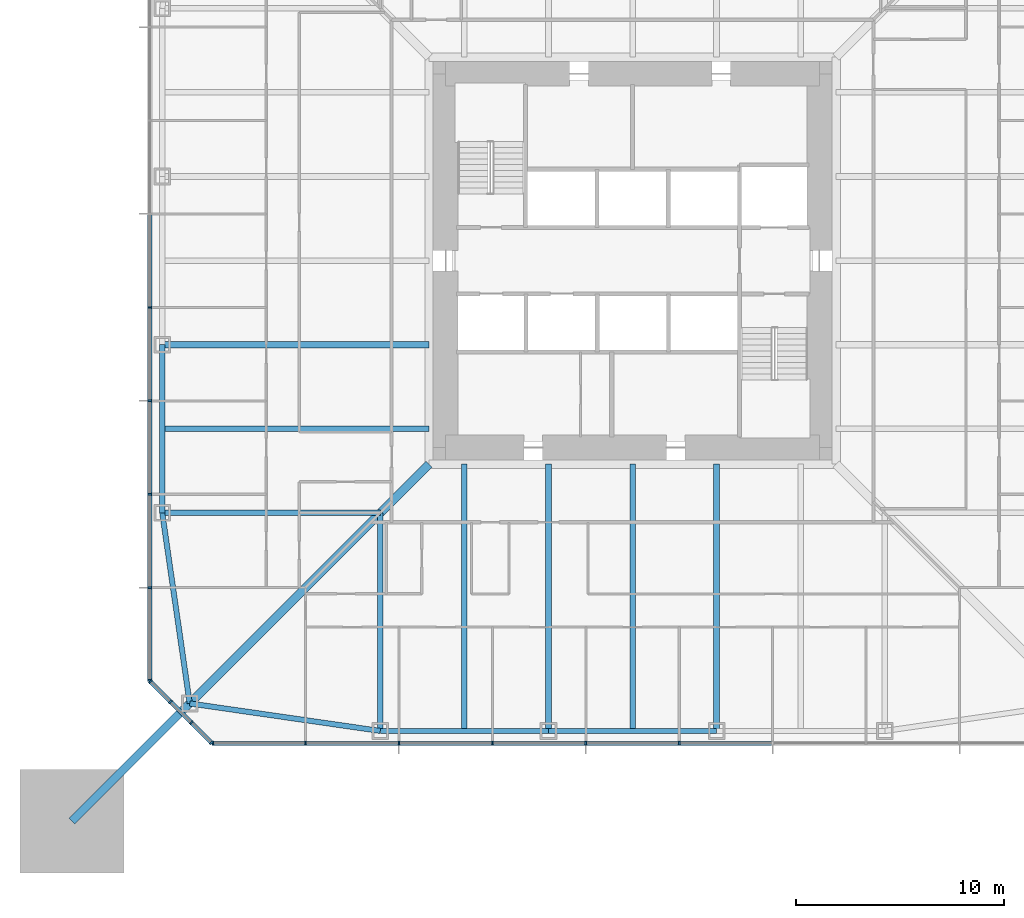
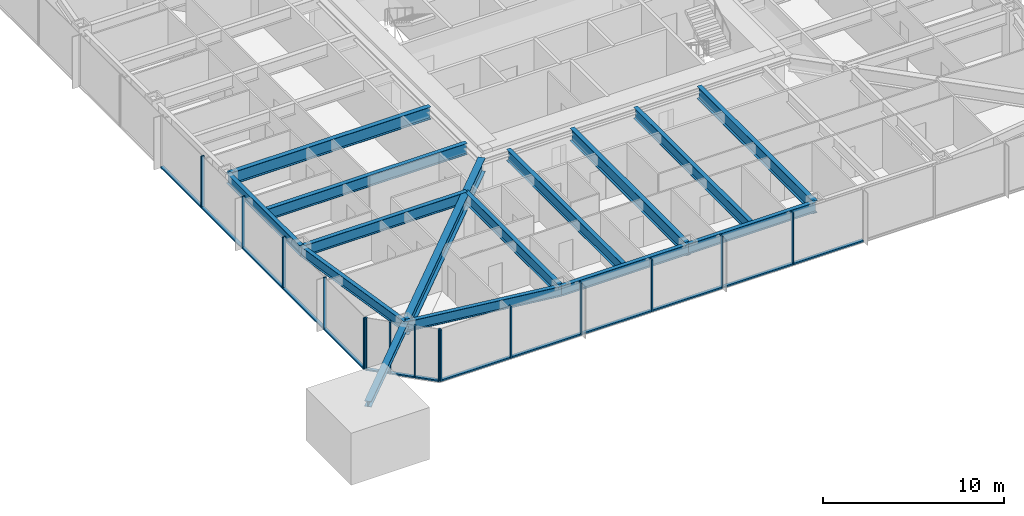
# One storey, part 3 of 26: 30 members, 14 beams, 3 elements without a shape of their own.
"""IFC4 building model written with IfcOpenShell, lengths in metres."""

from ifc_helpers import new_model, si_unit, direction, frame, origin, origin_2d, place, context, subcontext, project, spatial, rectangle, i_section, extrude, material, material_profile, profile_set, type_object, element, aggregate, save


model = new_model("IFC4")

# Units and contexts
model_context = context("Model", 3, precision=1e-05, world=origin(), true_north=direction((0.0, 1.0)))
body_context = subcontext(model_context, "Body", "Model", "MODEL_VIEW")
ifc_project = project(units=[si_unit("LENGTHUNIT", "METRE"), si_unit("AREAUNIT", "SQUARE_METRE"), si_unit("VOLUMEUNIT", "CUBIC_METRE"), si_unit("PLANEANGLEUNIT", "RADIAN"), si_unit("MASSUNIT", "GRAM", prefix="KILO")], contexts=[model_context])

# Site, building, storey
site_placement = place(None, origin())
site = spatial("IfcSite", under=ifc_project, at=site_placement, CompositionType="ELEMENT")
building_placement = place(site_placement, origin())
building = spatial("IfcBuilding", under=site, at=building_placement, Name="Iwan Alto Co-Living Towers", CompositionType="ELEMENT")
storey_placement = place(building_placement, frame((0.0, 0.0, 18.5)))
storey = spatial("IfcBuildingStorey", under=building, at=storey_placement, Name="L04", CompositionType="ELEMENT", Elevation=18.5)

# Curtain wall, members
ifc_material_1 = material(Name="Bronze aluminium unitised frame", Category="aluminium")
curtain_wall_type_1 = type_object("IfcCurtainWallType", Name="CURTAIN WALL CW-A", PredefinedType="NOTDEFINED", material=ifc_material_1)
curtain_wall_1_placement = place(storey_placement, origin())
curtain_wall_1 = element("IfcCurtainWall", 1, at=curtain_wall_1_placement, inside=storey, type_object=curtain_wall_type_1, Name="T1 curtain wall S L04", PredefinedType="NOTDEFINED")
ifc_material_2 = material(Name="Aluminium 6063-T6 bronze anodised", Category="aluminium")
ifc_material_profile_1 = material_profile(ifc_material_2, rectangle(XDim=0.199951171875, YDim=0.080078125, at=origin_2d()), Name="AL 80X200")
ifc_profile_set_1 = profile_set([ifc_material_profile_1], Name="Aluminium 6063-T6 bronze anodised")
member_type_1 = type_object("IfcMemberType", Name="CW-A MULLION 80X200", PredefinedType="MULLION", material=ifc_profile_set_1)
member_1_placement = place(storey_placement, frame((-20.2099609375, -23.25, 0.0), z_axis=(0.0, 0.0, 1.0), x_axis=(0.0, 1.0, 0.0)))
member_1 = element("IfcMember", 2, at=member_1_placement, type_object=member_type_1, Name="CW-A mullion 1", PredefinedType="MULLION", context=body_context, shape_type="SweptSolid", body=[
    extrude(rectangle(XDim=0.199951171875, YDim=0.080078125, at=origin_2d()), origin(), (0.0, 0.0, 1.0), 3.5),
])
member_2_placement = place(storey_placement, frame((-15.75, -23.25, 0.0), z_axis=(0.0, 0.0, 1.0), x_axis=(0.0, 1.0, 0.0)))
member_2 = element("IfcMember", 3, at=member_2_placement, type_object=member_type_1, Name="CW-A mullion 2", PredefinedType="MULLION", context=body_context, shape_type="SweptSolid", body=[
    extrude(rectangle(XDim=0.199951171875, YDim=0.080078125, at=origin_2d()), origin(), (0.0, 0.0, 1.0), 3.5),
])
member_3_placement = place(storey_placement, frame((-11.25, -23.25, 0.0), z_axis=(0.0, 0.0, 1.0), x_axis=(0.0, 1.0, 0.0)))
member_3 = element("IfcMember", 4, at=member_3_placement, type_object=member_type_1, Name="CW-A mullion 3", PredefinedType="MULLION", context=body_context, shape_type="SweptSolid", body=[
    extrude(rectangle(XDim=0.199951171875, YDim=0.080078125, at=origin_2d()), origin(), (0.0, 0.0, 1.0), 3.5),
])
member_4_placement = place(storey_placement, frame((-6.75, -23.25, 0.0), z_axis=(0.0, 0.0, 1.0), x_axis=(0.0, 1.0, 0.0)))
member_4 = element("IfcMember", 5, at=member_4_placement, type_object=member_type_1, Name="CW-A mullion 4", PredefinedType="MULLION", context=body_context, shape_type="SweptSolid", body=[
    extrude(rectangle(XDim=0.199951171875, YDim=0.080078125, at=origin_2d()), origin(), (0.0, 0.0, 1.0), 3.5),
])
member_5_placement = place(storey_placement, frame((-2.25, -23.25, 0.0), z_axis=(0.0, 0.0, 1.0), x_axis=(0.0, 1.0, 0.0)))
member_5 = element("IfcMember", 6, at=member_5_placement, type_object=member_type_1, Name="CW-A mullion 5", PredefinedType="MULLION", context=body_context, shape_type="SweptSolid", body=[
    extrude(rectangle(XDim=0.199951171875, YDim=0.080078125, at=origin_2d()), origin(), (0.0, 0.0, 1.0), 3.5),
])
member_6_placement = place(storey_placement, frame((2.25, -23.25, 0.0), z_axis=(0.0, 0.0, 1.0), x_axis=(0.0, 1.0, 0.0)))
member_6 = element("IfcMember", 7, at=member_6_placement, type_object=member_type_1, Name="CW-A mullion 6", PredefinedType="MULLION", context=body_context, shape_type="SweptSolid", body=[
    extrude(rectangle(XDim=0.199951171875, YDim=0.080078125, at=origin_2d()), origin(), (0.0, 0.0, 1.0), 3.5),
])

curtain_wall_2_placement = place(storey_placement, origin())
curtain_wall_2 = element("IfcCurtainWall", 8, at=curtain_wall_2_placement, inside=storey, type_object=curtain_wall_type_1, Name="T1 curtain wall W L04", PredefinedType="NOTDEFINED")
member_7_placement = place(storey_placement, frame((-23.25, -2.25, 0.0), z_axis=(0.0, 0.0, 1.0), x_axis=(1.0, 0.0, 0.0)))
member_7 = element("IfcMember", 9, at=member_7_placement, type_object=member_type_1, Name="CW-A mullion 6", PredefinedType="MULLION", context=body_context, shape_type="SweptSolid", body=[
    extrude(rectangle(XDim=0.199951171875, YDim=0.080078125, at=origin_2d()), origin(), (0.0, 0.0, 1.0), 3.5),
])
member_8_placement = place(storey_placement, frame((-23.25, -6.75, 0.0), z_axis=(0.0, 0.0, 1.0), x_axis=(1.0, 0.0, 0.0)))
member_8 = element("IfcMember", 10, at=member_8_placement, type_object=member_type_1, Name="CW-A mullion 7", PredefinedType="MULLION", context=body_context, shape_type="SweptSolid", body=[
    extrude(rectangle(XDim=0.199951171875, YDim=0.080078125, at=origin_2d()), origin(), (0.0, 0.0, 1.0), 3.5),
])
member_9_placement = place(storey_placement, frame((-23.25, -11.25, 0.0), z_axis=(0.0, 0.0, 1.0), x_axis=(1.0, 0.0, 0.0)))
member_9 = element("IfcMember", 11, at=member_9_placement, type_object=member_type_1, Name="CW-A mullion 8", PredefinedType="MULLION", context=body_context, shape_type="SweptSolid", body=[
    extrude(rectangle(XDim=0.199951171875, YDim=0.080078125, at=origin_2d()), origin(), (0.0, 0.0, 1.0), 3.5),
])
member_10_placement = place(storey_placement, frame((-23.25, -15.75, 0.0), z_axis=(0.0, 0.0, 1.0), x_axis=(1.0, 0.0, 0.0)))
member_10 = element("IfcMember", 12, at=member_10_placement, type_object=member_type_1, Name="CW-A mullion 9", PredefinedType="MULLION", context=body_context, shape_type="SweptSolid", body=[
    extrude(rectangle(XDim=0.199951171875, YDim=0.080078125, at=origin_2d()), origin(), (0.0, 0.0, 1.0), 3.5),
])
member_11_placement = place(storey_placement, frame((-23.25, -20.2099609375, 0.0), z_axis=(0.0, 0.0, 1.0), x_axis=(1.0, 0.0, 0.0)))
member_11 = element("IfcMember", 13, at=member_11_placement, type_object=member_type_1, Name="CW-A mullion 10", PredefinedType="MULLION", context=body_context, shape_type="SweptSolid", body=[
    extrude(rectangle(XDim=0.199951171875, YDim=0.080078125, at=origin_2d()), origin(), (0.0, 0.0, 1.0), 3.5),
])

# Member
ifc_material_3 = material(Name="Aluminium 6063-T6 bronze anodised", Category="aluminium")
ifc_material_profile_2 = material_profile(ifc_material_3, rectangle(XDim=0.199951171875, YDim=0.10009765625, at=origin_2d()), Name="AL 200X100")
ifc_profile_set_2 = profile_set([ifc_material_profile_2], Name="Aluminium 6063-T6 bronze anodised")
member_type_2 = type_object("IfcMemberType", Name="CW-A TRANSOM 200X100", PredefinedType="USERDEFINED", material=ifc_profile_set_2)
member_12_placement = place(storey_placement, frame((-20.169921875, -23.25, 0.050048828125), z_axis=(1.0, 0.0, 0.0), x_axis=(0.0, 1.0, 0.0)))
member_12 = element("IfcMember", 14, at=member_12_placement, type_object=member_type_2, Name="CW-A transom 1.1", ObjectType="TRANSOM", PredefinedType="USERDEFINED", context=body_context, shape_type="SweptSolid", body=[
    extrude(rectangle(XDim=0.199951171875, YDim=0.10009765625, at=origin_2d()), origin(), (0.0, 0.0, 1.0), 4.3798828125),
])

member_13_placement = place(storey_placement, frame((-15.7099609375, -23.25, 0.050048828125), z_axis=(1.0, 0.0, 0.0), x_axis=(0.0, 1.0, 0.0)))
member_13 = element("IfcMember", 15, at=member_13_placement, type_object=member_type_2, Name="CW-A transom 2.1", ObjectType="TRANSOM", PredefinedType="USERDEFINED", context=body_context, shape_type="SweptSolid", body=[
    extrude(rectangle(XDim=0.199951171875, YDim=0.10009765625, at=origin_2d()), origin(), (0.0, 0.0, 1.0), 4.419921875),
])

member_14_placement = place(storey_placement, frame((-11.2099609375, -23.25, 0.050048828125), z_axis=(1.0, 0.0, 0.0), x_axis=(0.0, 1.0, 0.0)))
member_14 = element("IfcMember", 16, at=member_14_placement, type_object=member_type_2, Name="CW-A transom 3.1", ObjectType="TRANSOM", PredefinedType="USERDEFINED", context=body_context, shape_type="SweptSolid", body=[
    extrude(rectangle(XDim=0.199951171875, YDim=0.10009765625, at=origin_2d()), origin(), (0.0, 0.0, 1.0), 4.419921875),
])

member_15_placement = place(storey_placement, frame((-6.7099609375, -23.25, 0.050048828125), z_axis=(1.0, 0.0, 0.0), x_axis=(0.0, 1.0, 0.0)))
member_15 = element("IfcMember", 17, at=member_15_placement, type_object=member_type_2, Name="CW-A transom 4.1", ObjectType="TRANSOM", PredefinedType="USERDEFINED", context=body_context, shape_type="SweptSolid", body=[
    extrude(rectangle(XDim=0.199951171875, YDim=0.10009765625, at=origin_2d()), origin(), (0.0, 0.0, 1.0), 4.419921875),
])

member_16_placement = place(storey_placement, frame((-2.2099609375, -23.25, 0.050048828125), z_axis=(1.0, 0.0, 0.0), x_axis=(0.0, 1.0, 0.0)))
member_16 = element("IfcMember", 18, at=member_16_placement, type_object=member_type_2, Name="CW-A transom 5.1", ObjectType="TRANSOM", PredefinedType="USERDEFINED", context=body_context, shape_type="SweptSolid", body=[
    extrude(rectangle(XDim=0.199951171875, YDim=0.10009765625, at=origin_2d()), origin(), (0.0, 0.0, 1.0), 4.419921875),
])

member_17_placement = place(storey_placement, frame((2.2900390625, -23.25, 0.050048828125), z_axis=(1.0, 0.0, 0.0), x_axis=(0.0, 1.0, 0.0)))
member_17 = element("IfcMember", 19, at=member_17_placement, type_object=member_type_2, Name="CW-A transom 6.1", ObjectType="TRANSOM", PredefinedType="USERDEFINED", context=body_context, shape_type="SweptSolid", body=[
    extrude(rectangle(XDim=0.199951171875, YDim=0.10009765625, at=origin_2d()), origin(), (0.0, 0.0, 1.0), 4.419921875),
])

aggregate(curtain_wall_1, [member_1, member_2, member_3, member_4, member_5, member_6, member_12, member_13, member_14, member_15, member_16, member_17])

member_18_placement = place(storey_placement, frame((-23.25, 2.2099609375, 0.050048828125), z_axis=(0.0, -1.0, 0.0), x_axis=(1.0, 0.0, 0.0)))
member_18 = element("IfcMember", 20, at=member_18_placement, type_object=member_type_2, Name="CW-A transom 5.1", ObjectType="TRANSOM", PredefinedType="USERDEFINED", context=body_context, shape_type="SweptSolid", body=[
    extrude(rectangle(XDim=0.199951171875, YDim=0.10009765625, at=origin_2d()), origin(), (0.0, 0.0, 1.0), 4.419921875),
])

member_19_placement = place(storey_placement, frame((-23.25, -2.2900390625, 0.050048828125), z_axis=(0.0, -1.0, 0.0), x_axis=(1.0, 0.0, 0.0)))
member_19 = element("IfcMember", 21, at=member_19_placement, type_object=member_type_2, Name="CW-A transom 6.1", ObjectType="TRANSOM", PredefinedType="USERDEFINED", context=body_context, shape_type="SweptSolid", body=[
    extrude(rectangle(XDim=0.199951171875, YDim=0.10009765625, at=origin_2d()), origin(), (0.0, 0.0, 1.0), 4.419921875),
])

member_20_placement = place(storey_placement, frame((-23.25, -6.7900390625, 0.050048828125), z_axis=(0.0, -1.0, 0.0), x_axis=(1.0, 0.0, 0.0)))
member_20 = element("IfcMember", 22, at=member_20_placement, type_object=member_type_2, Name="CW-A transom 7.1", ObjectType="TRANSOM", PredefinedType="USERDEFINED", context=body_context, shape_type="SweptSolid", body=[
    extrude(rectangle(XDim=0.199951171875, YDim=0.10009765625, at=origin_2d()), origin(), (0.0, 0.0, 1.0), 4.419921875),
])

member_21_placement = place(storey_placement, frame((-23.25, -11.2900390625, 0.050048828125), z_axis=(0.0, -1.0, 0.0), x_axis=(1.0, 0.0, 0.0)))
member_21 = element("IfcMember", 23, at=member_21_placement, type_object=member_type_2, Name="CW-A transom 8.1", ObjectType="TRANSOM", PredefinedType="USERDEFINED", context=body_context, shape_type="SweptSolid", body=[
    extrude(rectangle(XDim=0.199951171875, YDim=0.10009765625, at=origin_2d()), origin(), (0.0, 0.0, 1.0), 4.419921875),
])

member_22_placement = place(storey_placement, frame((-23.25, -15.7900390625, 0.050048828125), z_axis=(0.0, -1.0, 0.0), x_axis=(1.0, 0.0, 0.0)))
member_22 = element("IfcMember", 24, at=member_22_placement, type_object=member_type_2, Name="CW-A transom 9.1", ObjectType="TRANSOM", PredefinedType="USERDEFINED", context=body_context, shape_type="SweptSolid", body=[
    extrude(rectangle(XDim=0.199951171875, YDim=0.10009765625, at=origin_2d()), origin(), (0.0, 0.0, 1.0), 4.3798828125),
])

aggregate(curtain_wall_2, [member_7, member_8, member_9, member_10, member_11, member_18, member_19, member_20, member_21, member_22])

# Curtain wall, members
ifc_material_4 = material(Name="Bronze aluminium unitised frame", Category="aluminium")
curtain_wall_type_2 = type_object("IfcCurtainWallType", Name="CURTAIN WALL CW-B", PredefinedType="NOTDEFINED", material=ifc_material_4)
curtain_wall_3_placement = place(storey_placement, origin())
curtain_wall_3 = element("IfcCurtainWall", 25, at=curtain_wall_3_placement, inside=storey, type_object=curtain_wall_type_2, Name="T1 chamfer curtain wall SW L04", PredefinedType="NOTDEFINED")
ifc_material_5 = material(Name="Aluminium 6063-T6 bronze anodised", Category="aluminium")
ifc_material_profile_3 = material_profile(ifc_material_5, rectangle(XDim=0.199951171875, YDim=0.080078125, at=origin_2d()), Name="AL 80X200")
ifc_profile_set_3 = profile_set([ifc_material_profile_3], Name="Aluminium 6063-T6 bronze anodised")
member_type_3 = type_object("IfcMemberType", Name="CW-B MULLION 80X200", PredefinedType="MULLION", material=ifc_profile_set_3)
member_23_placement = place(storey_placement, frame((-23.2216796875, -20.2783203125, 0.0), z_axis=(0.0, 0.0, 1.0), x_axis=(0.707106781187, 0.707106781187, 0.0)))
member_23 = element("IfcMember", 26, at=member_23_placement, type_object=member_type_3, Name="CW-B mullion 1", PredefinedType="MULLION", context=body_context, shape_type="SweptSolid", body=[
    extrude(rectangle(XDim=0.199951171875, YDim=0.080078125, at=origin_2d()), origin(), (0.0, 0.0, 1.0), 3.5),
])
member_24_placement = place(storey_placement, frame((-22.25, -21.25, 0.0), z_axis=(0.0, 0.0, 1.0), x_axis=(0.707106781187, 0.707106781187, 0.0)))
member_24 = element("IfcMember", 27, at=member_24_placement, type_object=member_type_3, Name="CW-B mullion 2", PredefinedType="MULLION", context=body_context, shape_type="SweptSolid", body=[
    extrude(rectangle(XDim=0.199951171875, YDim=0.080078125, at=origin_2d()), origin(), (0.0, 0.0, 1.0), 3.5),
])
member_25_placement = place(storey_placement, frame((-21.25, -22.25, 0.0), z_axis=(0.0, 0.0, 1.0), x_axis=(0.707106781187, 0.707106781187, 0.0)))
member_25 = element("IfcMember", 28, at=member_25_placement, type_object=member_type_3, Name="CW-B mullion 3", PredefinedType="MULLION", context=body_context, shape_type="SweptSolid", body=[
    extrude(rectangle(XDim=0.199951171875, YDim=0.080078125, at=origin_2d()), origin(), (0.0, 0.0, 1.0), 3.5),
])
member_26_placement = place(storey_placement, frame((-20.2783203125, -23.2216796875, 0.0), z_axis=(0.0, 0.0, 1.0), x_axis=(0.707106781187, 0.707106781187, 0.0)))
member_26 = element("IfcMember", 29, at=member_26_placement, type_object=member_type_3, Name="CW-B mullion 4", PredefinedType="MULLION", context=body_context, shape_type="SweptSolid", body=[
    extrude(rectangle(XDim=0.199951171875, YDim=0.080078125, at=origin_2d()), origin(), (0.0, 0.0, 1.0), 3.5),
])
ifc_material_6 = material(Name="Aluminium 6063-T6 bronze anodised", Category="aluminium")
ifc_material_profile_4 = material_profile(ifc_material_6, rectangle(XDim=0.199951171875, YDim=0.10009765625, at=origin_2d()), Name="AL 200X100")
ifc_profile_set_4 = profile_set([ifc_material_profile_4], Name="Aluminium 6063-T6 bronze anodised")
member_type_4 = type_object("IfcMemberType", Name="CW-B TRANSOM 200X100", PredefinedType="USERDEFINED", material=ifc_profile_set_4)
member_27_placement = place(storey_placement, frame((-23.193359375, -20.306640625, 0.050048828125), z_axis=(0.707106781187, -0.707106781187, 0.0), x_axis=(0.707106781187, 0.707106781187, 0.0)))
member_27 = element("IfcMember", 30, at=member_27_placement, type_object=member_type_4, Name="CW-B transom 1.1", ObjectType="TRANSOM", PredefinedType="USERDEFINED", context=body_context, shape_type="SweptSolid", body=[
    extrude(rectangle(XDim=0.199951171875, YDim=0.10009765625, at=origin_2d()), origin(), (0.0, 0.0, 1.0), 1.2939453125),
])
member_28_placement = place(storey_placement, frame((-22.2216796875, -21.2783203125, 0.050048828125), z_axis=(0.707106781187, -0.707106781187, 0.0), x_axis=(0.707106781187, 0.707106781187, 0.0)))
member_28 = element("IfcMember", 31, at=member_28_placement, type_object=member_type_4, Name="CW-B transom 2.1", ObjectType="TRANSOM", PredefinedType="USERDEFINED", context=body_context, shape_type="SweptSolid", body=[
    extrude(rectangle(XDim=0.199951171875, YDim=0.10009765625, at=origin_2d()), origin(), (0.0, 0.0, 1.0), 1.334228515625),
])
member_29_placement = place(storey_placement, frame((-21.2216796875, -22.2783203125, 0.050048828125), z_axis=(0.707106781187, -0.707106781187, 0.0), x_axis=(0.707106781187, 0.707106781187, 0.0)))
member_29 = element("IfcMember", 32, at=member_29_placement, type_object=member_type_4, Name="CW-B transom 3.1", ObjectType="TRANSOM", PredefinedType="USERDEFINED", context=body_context, shape_type="SweptSolid", body=[
    extrude(rectangle(XDim=0.199951171875, YDim=0.10009765625, at=origin_2d()), origin(), (0.0, 0.0, 1.0), 1.2939453125),
])
aggregate(curtain_wall_3, [member_23, member_24, member_25, member_26, member_27, member_28, member_29])

# Beams
ifc_material_7 = material(Name="Steel ASTM A992 Gr 50", Category="steel")
ifc_material_profile_5 = material_profile(ifc_material_7, i_section(OverallWidth=0.419189453125, OverallDepth=0.927001953125, WebThickness=0.019287109375, FlangeThickness=0.031982421875, at=origin_2d()), Name="W36X231")
ifc_profile_set_5 = profile_set([ifc_material_profile_5], Name="Steel ASTM A992 Gr 50")
beam_type_1 = type_object("IfcBeamType", Name="T1 CORNER GIRDER W36X231", PredefinedType="BEAM", material=ifc_profile_set_5)
beam_1_placement = place(storey_placement, frame((-21.32568359375, -21.32568359375, 2.806396484375), z_axis=(0.707106781187, 0.707106781187, 0.0), x_axis=(-0.707106781187, 0.707106781187, 0.0)))
element("IfcBeam", 33, at=beam_1_placement, inside=storey, type_object=beam_type_1, Name="T1 corner girder CSW L05", PredefinedType="BEAM", context=body_context, shape_type="SweptSolid", body=[
    extrude(i_section(OverallWidth=0.419189453125, OverallDepth=0.927001953125, WebThickness=0.019287109375, FlangeThickness=0.031982421875, at=origin_2d()), origin(), (0.0, 0.0, 1.0), 16.296875),
])
ifc_material_8 = material(Name="Steel ASTM A992 Gr 50", Category="steel")
ifc_material_profile_6 = material_profile(ifc_material_8, i_section(OverallWidth=0.25390625, OverallDepth=0.683349609375, WebThickness=0.012451171875, FlangeThickness=0.018798828125, at=origin_2d()), Name="W27X94")
ifc_profile_set_6 = profile_set([ifc_material_profile_6], Name="Steel ASTM A992 Gr 50")
beam_type_2 = type_object("IfcBeamType", Name="T1 EDGE BEAM W27X94", PredefinedType="BEAM", material=ifc_profile_set_6)
beam_2_placement = place(storey_placement, frame((-21.32568359375, -21.32568359375, 2.928466796875), z_axis=(0.989746234347, -0.142836940589, 0.0), x_axis=(0.142836940589, 0.989746234347, 0.0)))
element("IfcBeam", 34, at=beam_2_placement, inside=storey, type_object=beam_type_2, Name="T1 edge beam CSW L05", PredefinedType="BEAM", context=body_context, shape_type="SweptSolid", body=[
    extrude(i_section(OverallWidth=0.25390625, OverallDepth=0.683349609375, WebThickness=0.012451171875, FlangeThickness=0.018798828125, at=origin_2d()), origin(), (0.0, 0.0, 1.0), 9.270751953125),
])
beam_3_placement = place(storey_placement, frame((-12.14990234375, -22.64990234375, 2.928466796875), z_axis=(1.0, 0.0, 0.0), x_axis=(0.0, 1.0, 0.0)))
element("IfcBeam", 35, at=beam_3_placement, inside=storey, type_object=beam_type_2, Name="T1 edge beam S1 L05", PredefinedType="BEAM", context=body_context, shape_type="SweptSolid", body=[
    extrude(i_section(OverallWidth=0.25390625, OverallDepth=0.683349609375, WebThickness=0.012451171875, FlangeThickness=0.018798828125, at=origin_2d()), origin(), (0.0, 0.0, 1.0), 8.099853515625),
])
beam_4_placement = place(storey_placement, frame((-4.050048828125, -22.64990234375, 2.928466796875), z_axis=(1.0, 0.0, 0.0), x_axis=(0.0, 1.0, 0.0)))
element("IfcBeam", 36, at=beam_4_placement, inside=storey, type_object=beam_type_2, Name="T1 edge beam S2 L05", PredefinedType="BEAM", context=body_context, shape_type="SweptSolid", body=[
    extrude(i_section(OverallWidth=0.25390625, OverallDepth=0.683349609375, WebThickness=0.012451171875, FlangeThickness=0.018798828125, at=origin_2d()), origin(), (0.0, 0.0, 1.0), 8.10009765625),
])
beam_5_placement = place(storey_placement, frame((-22.64990234375, -4.050048828125, 2.928466796875), z_axis=(0.0, -1.0, 0.0), x_axis=(1.0, 0.0, 0.0)))
element("IfcBeam", 37, at=beam_5_placement, inside=storey, type_object=beam_type_2, Name="T1 edge beam W3 L05", PredefinedType="BEAM", context=body_context, shape_type="SweptSolid", body=[
    extrude(i_section(OverallWidth=0.25390625, OverallDepth=0.683349609375, WebThickness=0.012451171875, FlangeThickness=0.018798828125, at=origin_2d()), origin(), (0.0, 0.0, 1.0), 8.099853515625),
])
beam_6_placement = place(storey_placement, frame((-22.64990234375, -12.14990234375, 2.928466796875), z_axis=(0.142836940589, -0.989746234347, 0.0), x_axis=(0.989746234347, 0.142836940589, 0.0)))
element("IfcBeam", 38, at=beam_6_placement, inside=storey, type_object=beam_type_2, Name="T1 edge beam W4 L05", PredefinedType="BEAM", context=body_context, shape_type="SweptSolid", body=[
    extrude(i_section(OverallWidth=0.25390625, OverallDepth=0.683349609375, WebThickness=0.012451171875, FlangeThickness=0.018798828125, at=origin_2d()), origin(), (0.0, 0.0, 1.0), 9.270751953125),
])

# Member
ifc_material_9 = material(Name="Steel ASTM A992 Gr 50", Category="steel")
ifc_material_profile_7 = material_profile(ifc_material_9, i_section(OverallWidth=0.393798828125, OverallDepth=0.3759765625, WebThickness=0.017333984375, FlangeThickness=0.027587890625, at=origin_2d()), Name="W14X145")
ifc_profile_set_7 = profile_set([ifc_material_profile_7], Name="Steel ASTM A992 Gr 50")
member_type_5 = type_object("IfcMemberType", Name="T1 MEGA COLUMN FLOOR TIE W14X145", PredefinedType="STRUT", material=ifc_profile_set_7)
member_30_placement = place(storey_placement, frame((-27.0, -27.0, 3.08203125), z_axis=(0.707106781187, 0.707106781187, 0.0), x_axis=(-0.707106781187, 0.707106781187, 0.0)))
element("IfcMember", 39, at=member_30_placement, inside=storey, type_object=member_type_5, Name="T1 mega column floor tie SW L05", PredefinedType="STRUT", context=body_context, shape_type="SweptSolid", body=[
    extrude(i_section(OverallWidth=0.393798828125, OverallDepth=0.3759765625, WebThickness=0.017333984375, FlangeThickness=0.027587890625, at=origin_2d()), origin(), (0.0, 0.0, 1.0), 8.024658203125),
])

# Beams
ifc_material_10 = material(Name="Steel ASTM A992 Gr 50", Category="steel")
ifc_material_profile_8 = material_profile(ifc_material_10, i_section(OverallWidth=0.2666015625, OverallDepth=0.761962890625, WebThickness=0.014404296875, FlangeThickness=0.021484375, at=origin_2d()), Name="W30X116")
ifc_profile_set_8 = profile_set([ifc_material_profile_8], Name="Steel ASTM A992 Gr 50")
beam_type_3 = type_object("IfcBeamType", Name="T1 RADIAL BEAM W30X116", PredefinedType="BEAM", material=ifc_profile_set_8)
for number, where, z_axis, x_axis, name in (
    (40, (-12.14990234375, -22.64990234375, 2.888916015625), (0.0, 1.0, 0.0), (-1.0, 0.0, 0.0), "T1 radial beam S1 L05"),
    (41, (-22.64990234375, -12.14990234375, 2.888916015625), (1.0, 0.0, 0.0), (0.0, 1.0, 0.0), "T1 radial beam W4 L05"),
):
    element("IfcBeam", number, at=place(storey_placement, frame(where, z_axis=z_axis, x_axis=x_axis)), inside=storey, type_object=beam_type_3, Name=name, PredefinedType="BEAM", context=body_context, shape_type="SweptSolid", body=[
        extrude(i_section(OverallWidth=0.2666015625, OverallDepth=0.761962890625, WebThickness=0.014404296875, FlangeThickness=0.021484375, at=origin_2d()), origin(), (0.0, 0.0, 1.0), 10.5),
    ])
ifc_material_11 = material(Name="Steel ASTM A992 Gr 50", Category="steel")
ifc_material_profile_9 = material_profile(ifc_material_11, i_section(OverallWidth=0.2919921875, OverallDepth=0.8408203125, WebThickness=0.0146484375, FlangeThickness=0.021728515625, at=origin_2d()), Name="W33X130")
ifc_profile_set_9 = profile_set([ifc_material_profile_9], Name="Steel ASTM A992 Gr 50")
beam_type_4 = type_object("IfcBeamType", Name="T1 RADIAL BEAM W33X130", PredefinedType="BEAM", material=ifc_profile_set_9)
for number, where, z_axis, x_axis, name in (
    (42, (-4.050048828125, -22.64990234375, 2.849609375), (0.0, 1.0, 0.0), (-1.0, 0.0, 0.0), "T1 radial beam S2 L05"),
    (43, (4.050048828125, -22.64990234375, 2.849609375), (0.0, 1.0, 0.0), (-1.0, 0.0, 0.0), "T1 radial beam S3 L05"),
    (44, (-22.64990234375, -4.050048828125, 2.849609375), (1.0, 0.0, 0.0), (0.0, 1.0, 0.0), "T1 radial beam W3 L05"),
):
    element("IfcBeam", number, at=place(storey_placement, frame(where, z_axis=z_axis, x_axis=x_axis)), inside=storey, type_object=beam_type_4, Name=name, PredefinedType="BEAM", context=body_context, shape_type="SweptSolid", body=[
        extrude(i_section(OverallWidth=0.2919921875, OverallDepth=0.8408203125, WebThickness=0.0146484375, FlangeThickness=0.021728515625, at=origin_2d()), origin(), (0.0, 0.0, 1.0), 12.847900390625),
    ])
ifc_material_12 = material(Name="Steel ASTM A992 Gr 50", Category="steel")
ifc_material_profile_10 = material_profile(ifc_material_12, i_section(OverallWidth=0.2666015625, OverallDepth=0.761962890625, WebThickness=0.014404296875, FlangeThickness=0.021484375, at=origin_2d()), Name="W30X116")
ifc_profile_set_10 = profile_set([ifc_material_profile_10], Name="Steel ASTM A992 Gr 50")
beam_type_5 = type_object("IfcBeamType", Name="T1 SECONDARY BEAM W30X116", PredefinedType="JOIST", material=ifc_profile_set_10)
for number, where, z_axis, x_axis, name in (
    (45, (-8.10009765625, -22.64990234375, 2.888916015625), (0.0, 1.0, 0.0), (-1.0, 0.0, 0.0), "T1 secondary beam S1 L05"),
    (46, (0.0, -22.64990234375, 2.888916015625), (0.0, 1.0, 0.0), (-1.0, 0.0, 0.0), "T1 secondary beam S2 L05"),
    (47, (-22.64990234375, -8.10009765625, 2.888916015625), (1.0, 0.0, 0.0), (0.0, 1.0, 0.0), "T1 secondary beam W3 L05"),
):
    element("IfcBeam", number, at=place(storey_placement, frame(where, z_axis=z_axis, x_axis=x_axis)), inside=storey, type_object=beam_type_5, Name=name, PredefinedType="JOIST", context=body_context, shape_type="SweptSolid", body=[
        extrude(i_section(OverallWidth=0.2666015625, OverallDepth=0.761962890625, WebThickness=0.014404296875, FlangeThickness=0.021484375, at=origin_2d()), origin(), (0.0, 0.0, 1.0), 12.847900390625),
    ])

save(model, "model.ifc")
